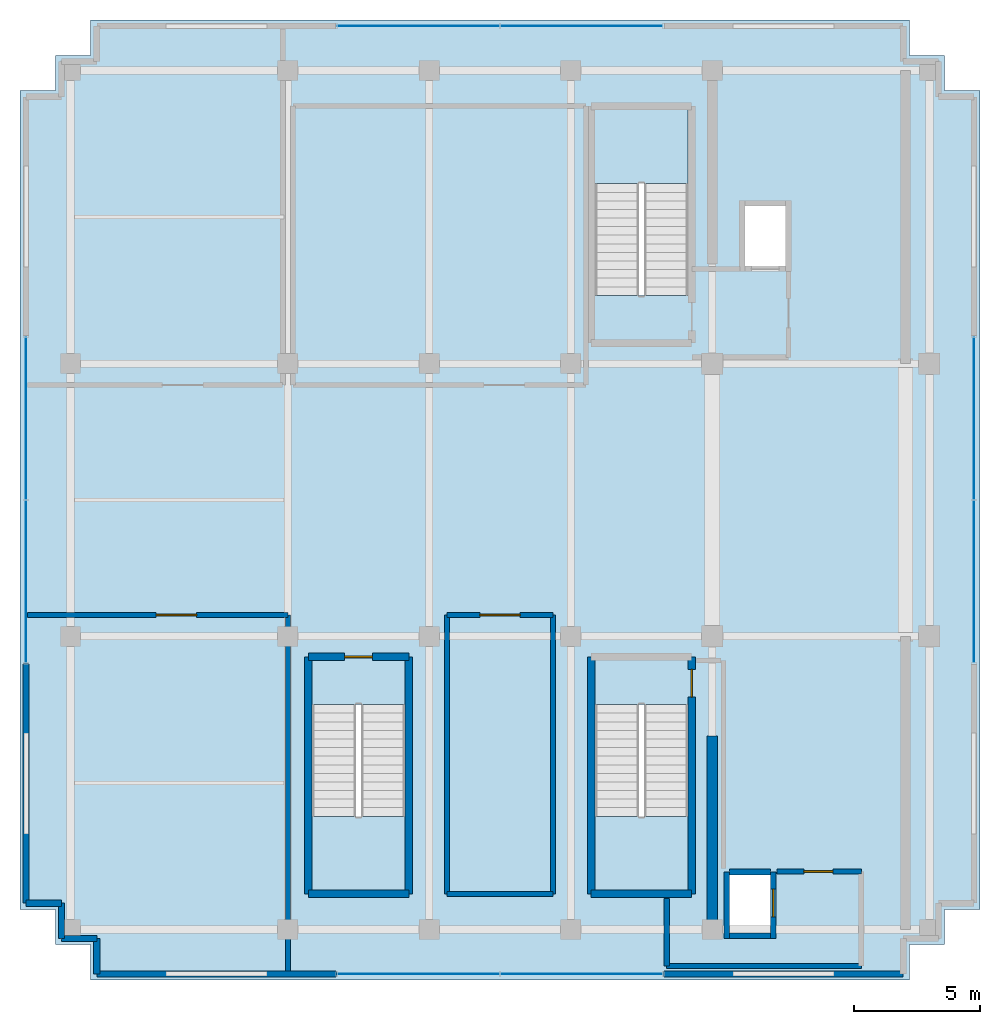
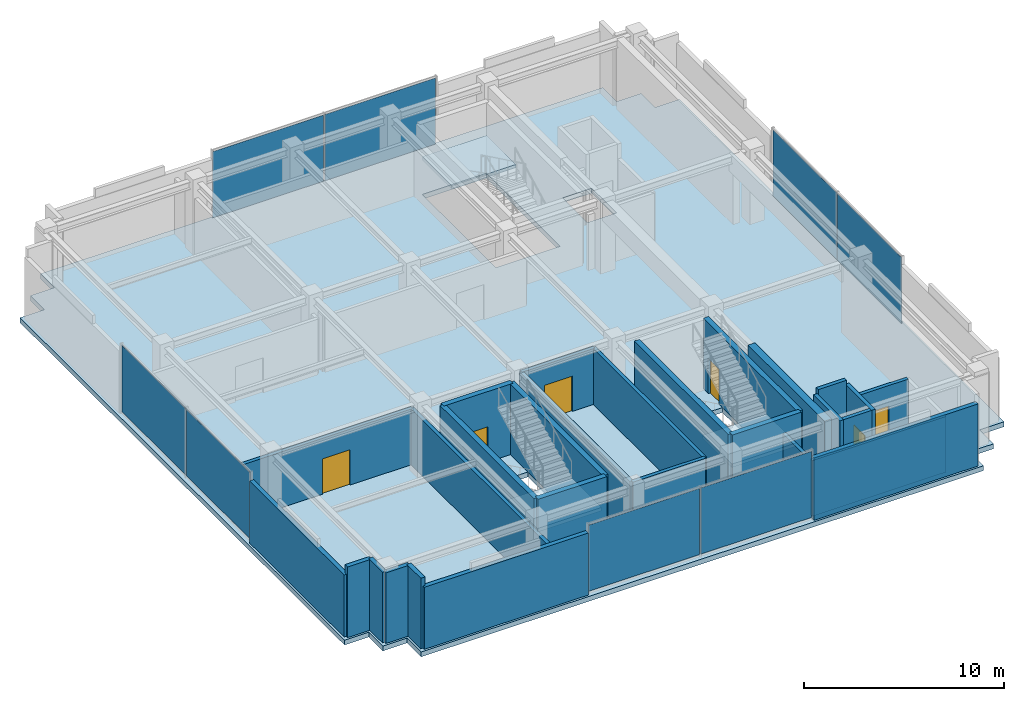
# One storey, part 14 of 18: 28 walls, 8 plates, 6 doors, 4 slabs, 6 openings, 7 elements without a shape of their own.
"""IFC4 building model written with IfcOpenShell, lengths in metres."""

import ifcopenshell
import ifcopenshell.guid

model = None  # the IFC model being written
_history = None  # IfcOwnerHistory: only IFC2X3 demands one
_inside = {}  # id of a spatial element -> (the spatial element, [elements in it])
_under = {}  # id of a project, library or spatial element -> (it, [spatial elements below it])
_declared = {}  # id of a project -> (the project, [libraries it declares])
_typed = {}  # id of a type object -> (the type object, [elements of that type])
_made_of = {}  # id of a material, layer set ... -> (it, [elements and type objects made of it])


def new_model(schema):
    """Start an empty IFC model of exactly this schema.

    Asked for "IFC4X3", IfcOpenShell would pick the latest addendum, in which some entities
    have other attributes; the version numbers below select the first issue.
    IFC2X3 requires an IfcOwnerHistory on every rooted entity: one is made here for all.
    """
    global model, _history
    if schema == "IFC4X3":
        model = ifcopenshell.file(schema_version=(4, 3, 0, 0))
    else:
        model = ifcopenshell.file(schema=schema)
    _inside.clear()
    _under.clear()
    _declared.clear()
    _typed.clear()
    _made_of.clear()
    _history = None
    if model.schema == "IFC2X3":
        org = make("IfcOrganization", Name="unknown")
        user = make(
            "IfcPersonAndOrganization",
            ThePerson=make("IfcPerson", FamilyName="unknown"),
            TheOrganization=org,
        )
        app = make(
            "IfcApplication",
            ApplicationDeveloper=org,
            Version="unknown",
            ApplicationFullName="unknown",
            ApplicationIdentifier="unknown",
        )
        _history = make(
            "IfcOwnerHistory",
            OwningUser=user,
            OwningApplication=app,
            ChangeAction="ADDED",
            CreationDate=0,
        )
    return model


def make(cls, **values):
    """One entity of the class cls with the attributes given. An attribute that is None is left unset."""
    return model.create_entity(
        cls, **{name: value for name, value in values.items() if value is not None}
    )


def rooted(cls, **values):
    """An entity with a GlobalId (a new one), such as an element, a storey or a relation."""
    return make(cls, GlobalId=ifcopenshell.guid.new(), OwnerHistory=_history, **values)


def si_unit(unit_type, name, prefix=None):
    """IfcSIUnit, for example si_unit("LENGTHUNIT", "METRE", prefix="MILLI")."""
    return make("IfcSIUnit", UnitType=unit_type, Prefix=prefix, Name=name)


def assignment(units):
    """IfcUnitAssignment: the units of a project."""
    return None if units is None else make("IfcUnitAssignment", Units=units)


def point(xyz):
    """IfcCartesianPoint."""
    return None if xyz is None else make("IfcCartesianPoint", Coordinates=xyz)


def direction(xyz):
    """IfcDirection."""
    return None if xyz is None else make("IfcDirection", DirectionRatios=xyz)


def frame(location, z_axis=None, x_axis=None):
    """IfcAxis2Placement3D, a coordinate frame: its origin and axes. An axis left out is left unset."""
    return make(
        "IfcAxis2Placement3D",
        Location=point(location),
        Axis=direction(z_axis),
        RefDirection=direction(x_axis),
    )


def frame_2d(location, x_axis=None):
    """IfcAxis2Placement2D, a coordinate frame in the plane: its origin and x axis."""
    return make(
        "IfcAxis2Placement2D", Location=point(location), RefDirection=direction(x_axis)
    )


def origin():
    """The frame at (0, 0, 0) with its axes left unset."""
    return frame((0.0, 0.0, 0.0))


def origin_2d():
    """The frame at (0, 0) in the plane with its x axis left unset."""
    return frame_2d((0.0, 0.0))


def place(relative_to, where):
    """IfcLocalPlacement: puts the frame where relative to a parent placement (None: the world)."""
    return make(
        "IfcLocalPlacement", PlacementRelTo=relative_to, RelativePlacement=where
    )


def context(
    kind, dimensions, precision=None, world=None, true_north=None, identifier=None
):
    """IfcGeometricRepresentationContext, for example the 3D "Model" context."""
    return make(
        "IfcGeometricRepresentationContext",
        ContextIdentifier=identifier,
        ContextType=kind,
        CoordinateSpaceDimension=dimensions,
        Precision=precision,
        WorldCoordinateSystem=world,
        TrueNorth=true_north,
    )


def subcontext(parent, identifier, kind, view, scale=None):
    """IfcGeometricRepresentationSubContext, for example "Body" below "Model"."""
    return make(
        "IfcGeometricRepresentationSubContext",
        ContextIdentifier=identifier,
        ContextType=kind,
        ParentContext=parent,
        TargetScale=scale,
        TargetView=view,
    )


def project(units=None, contexts=None):
    """IfcProject with its units and contexts."""
    return rooted(
        "IfcProject",
        Name="project",
        RepresentationContexts=contexts,
        UnitsInContext=assignment(units),
    )


def spatial(cls, under=None, at=None, **own):
    """A site, building, storey or space (cls), placed at a placement, below another one or the project."""
    s = rooted(cls, ObjectPlacement=at, **own)
    if under is not None:
        _under.setdefault(under.id(), (under, []))[1].append(s)
    return s


def polyline(points):
    """IfcPolyline through the points."""
    return make("IfcPolyline", Points=[point(p) for p in points])


def profile(cls, at=None, kind="AREA", **sizes):
    """A parametric profile (cls). Its sizes go by their IFC names, for example OverallWidth=200.0."""
    return make(cls, ProfileType=kind, Position=at, **sizes)


def rectangle(**sizes):
    """IfcRectangleProfileDef."""
    return profile("IfcRectangleProfileDef", **sizes)


def outline(outer, holes=None, kind="AREA"):
    """IfcArbitraryClosedProfileDef: a profile drawn as a closed curve; with holes, ...WithVoids."""
    if holes is None:
        return make("IfcArbitraryClosedProfileDef", ProfileType=kind, OuterCurve=outer)
    return make(
        "IfcArbitraryProfileDefWithVoids",
        ProfileType=kind,
        OuterCurve=outer,
        InnerCurves=holes,
    )


def extrude(swept, where, along, depth):
    """IfcExtrudedAreaSolid: the profile swept, set in the frame where, extruded along a direction by depth."""
    return make(
        "IfcExtrudedAreaSolid",
        SweptArea=swept,
        Position=where,
        ExtrudedDirection=direction(along),
        Depth=depth,
    )


def shape(context_of_items, identifier, shape_type, items):
    """IfcShapeRepresentation: the items that make up one representation, for example the "Body"."""
    return make(
        "IfcShapeRepresentation",
        ContextOfItems=context_of_items,
        RepresentationIdentifier=identifier,
        RepresentationType=shape_type,
        Items=items,
    )


def source(mapping_origin, context_of_items, identifier, shape_type, items):
    """IfcRepresentationMap: a shape defined once, which mapped items show again and again."""
    return make(
        "IfcRepresentationMap",
        MappingOrigin=mapping_origin,
        MappedRepresentation=shape(context_of_items, identifier, shape_type, items),
    )


def transform(
    local_origin,
    x_axis=None,
    y_axis=None,
    z_axis=None,
    scale=None,
    scale2=None,
    scale3=None,
    uniform=True,
):
    """IfcCartesianTransformationOperator3D, or its non-uniform kind. x_axis, y_axis, z_axis: its Axis1, 2, 3."""
    if uniform:
        return make(
            "IfcCartesianTransformationOperator3D",
            Axis1=direction(x_axis),
            Axis2=direction(y_axis),
            LocalOrigin=point(local_origin),
            Scale=scale,
            Axis3=direction(z_axis),
        )
    return make(
        "IfcCartesianTransformationOperator3DnonUniform",
        Axis1=direction(x_axis),
        Axis2=direction(y_axis),
        LocalOrigin=point(local_origin),
        Scale=scale,
        Axis3=direction(z_axis),
        Scale2=scale2,
        Scale3=scale3,
    )


def mapped(mapping_source, mapping_target):
    """IfcMappedItem: shows the shape of a source again, moved by a transform."""
    return make(
        "IfcMappedItem", MappingSource=mapping_source, MappingTarget=mapping_target
    )


def material(Name=None, Category=None):
    """IfcMaterial."""
    return make("IfcMaterial", Name=Name, Category=Category)


def layer(
    of_material, thickness, ventilated=None, Name=None, Category=None, Priority=None
):
    """IfcMaterialLayer: one layer of a wall or slab, of a material (None: an air gap)."""
    return make(
        "IfcMaterialLayer",
        Material=of_material,
        LayerThickness=thickness,
        IsVentilated=ventilated,
        Name=Name,
        Category=Category,
        Priority=Priority,
    )


def layer_set(layers, Name=None):
    """IfcMaterialLayerSet."""
    return make("IfcMaterialLayerSet", MaterialLayers=layers, LayerSetName=Name)


def made_of(thing, what):
    """Note that an element or type object is made of a material, layer set ...; save() writes the relation."""
    if what is not None:
        _made_of.setdefault(what.id(), (what, []))[1].append(thing)
    return thing


def type_object(cls, material=None, **own):
    """A type object (cls), such as IfcWallType, which elements share."""
    return made_of(rooted(cls, **own), material)


def element(
    cls,
    number,
    at=None,
    inside=None,
    cuts=None,
    type_object=None,
    material=None,
    context=None,
    identifier="Body",
    shape_type=None,
    held_by="IfcProductDefinitionShape",
    body=None,
    shapes=None,
    **own,
):
    """One element of the class cls, such as IfcWall. Its Tag is "e" and its number.

    at: its placement. inside: the storey or other place that contains it. cuts: it is an
    opening in that element (IfcRelVoidsElement). A single representation is given by context,
    identifier, shape_type and body (its items); several are given by shapes. held_by: the class
    of the entity that holds the representations. save() writes the other relations.
    """
    e = rooted(cls, Tag="e%d" % number, ObjectPlacement=at, **own)
    if body is not None:
        shapes = [shape(context, identifier, shape_type, body)]
    if shapes is not None:
        e.Representation = make(held_by, Representations=shapes)
    if inside is not None:
        _inside.setdefault(inside.id(), (inside, []))[1].append(e)
    if cuts is not None:
        rooted(
            "IfcRelVoidsElement", RelatingBuildingElement=cuts, RelatedOpeningElement=e
        )
    if type_object is not None:
        _typed.setdefault(type_object.id(), (type_object, []))[1].append(e)
    return made_of(e, material)


def fill(opening, filler):
    """IfcRelFillsElement: the door or window that sits in an opening."""
    return rooted(
        "IfcRelFillsElement",
        RelatingOpeningElement=opening,
        RelatedBuildingElement=filler,
    )


def aggregate(whole, parts):
    """IfcRelAggregates: a whole, such as a stair, and the parts it consists of."""
    return rooted("IfcRelAggregates", RelatingObject=whole, RelatedObjects=parts)


def save(model, path):
    """Write the relations noted so far, then the file.

    IfcRelAggregates (storeys below a building ...), IfcRelContainedInSpatialStructure (elements
    in a storey), IfcRelDefinesByType, IfcRelAssociatesMaterial and IfcRelDeclares: one each for
    every whole, place, type object, material and project.
    """
    for whole, parts in _under.values():
        aggregate(whole, parts)
    for where, things in _inside.values():
        rooted(
            "IfcRelContainedInSpatialStructure",
            RelatedElements=things,
            RelatingStructure=where,
        )
    for kind, things in _typed.values():
        rooted("IfcRelDefinesByType", RelatedObjects=things, RelatingType=kind)
    for what, things in _made_of.values():
        rooted("IfcRelAssociatesMaterial", RelatedObjects=things, RelatingMaterial=what)
    for by, libraries in _declared.values():
        rooted("IfcRelDeclares", RelatingContext=by, RelatedDefinitions=libraries)
    model.write(path)


model = new_model("IFC4")

# Units and contexts
model_context = context("Model", 3, precision=1e-05, world=origin(), true_north=direction((0.0, 1.0)))
body_context = subcontext(model_context, "Body", "Model", "MODEL_VIEW")
ifc_project = project(units=[si_unit("LENGTHUNIT", "METRE"), si_unit("AREAUNIT", "SQUARE_METRE"), si_unit("VOLUMEUNIT", "CUBIC_METRE"), si_unit("PLANEANGLEUNIT", "RADIAN"), si_unit("MASSUNIT", "GRAM", prefix="KILO")], contexts=[model_context])

# Site, building, storey
site_placement = place(None, origin())
site = spatial("IfcSite", under=ifc_project, at=site_placement, CompositionType="ELEMENT")
building_placement = place(site_placement, origin())
building = spatial("IfcBuilding", under=site, at=building_placement, Name="Nahalor Promenade Grand Hotel", CompositionType="ELEMENT")
storey_placement = place(building_placement, frame((0.0, 0.0, 366.25)))
storey = spatial("IfcBuildingStorey", under=building, at=storey_placement, Name="L93", CompositionType="ELEMENT", Elevation=366.25)

# Stair, slab
ifc_material_1 = material(Name="Concrete B-50 (C40/50)", Category="concrete")
stair_type_1 = type_object("IfcStairType", Name="Stair-ST1", PredefinedType="HALF_TURN_STAIR", material=ifc_material_1)
stair_1_placement = place(storey_placement, origin())
stair_1 = element("IfcStair", 1, at=stair_1_placement, inside=storey, type_object=stair_type_1, Name="L93 ST1", PredefinedType="HALF_TURN_STAIR")
ifc_layer_1 = layer(ifc_material_1, 0.199951171875)
ifc_layer_set_1 = layer_set([ifc_layer_1], Name="Concrete B-50 (C40/50)")
slab_type_1 = type_object("IfcSlabType", Name="Landing-ST1", PredefinedType="LANDING", material=ifc_layer_set_1)
slab_1_placement = place(storey_placement, frame((0.0, 0.0, 2.10009765625)))
slab_1 = element("IfcSlab", 2, at=slab_1_placement, type_object=slab_type_1, Name="ST1 landing 1", PredefinedType="LANDING", context=body_context, shape_type="SweptSolid", body=[
    extrude(outline(polyline([(7.449951171875, 12.52001953125), (7.449951171875, 15.449951171875), (3.75, 15.449951171875), (3.75, 12.52001953125), (7.449951171875, 12.52001953125)])), origin(), (0.0, 0.0, 1.0), 0.199951171875),
])
aggregate(stair_1, [slab_1])

stair_type_2 = type_object("IfcStairType", Name="Stair-ST2", PredefinedType="HALF_TURN_STAIR", material=ifc_material_1)
stair_2_placement = place(storey_placement, origin())
stair_2 = element("IfcStair", 3, at=stair_2_placement, inside=storey, type_object=stair_type_2, Name="L93 ST2", PredefinedType="HALF_TURN_STAIR")
ifc_layer_2 = layer(ifc_material_1, 0.2099609375)
ifc_layer_set_2 = layer_set([ifc_layer_2], Name="Concrete B-50 (C40/50)")
slab_type_2 = type_object("IfcSlabType", Name="Landing-ST2", PredefinedType="LANDING", material=ifc_layer_set_2)
slab_2_placement = place(storey_placement, frame((0.0, 0.0, 2.090087890625)))
slab_2 = element("IfcSlab", 4, at=slab_2_placement, type_object=slab_type_2, Name="ST2 landing 1", PredefinedType="LANDING", context=body_context, shape_type="SweptSolid", body=[
    extrude(outline(polyline([(3.75, -12.52001953125), (3.75, -15.449951171875), (7.449951171875, -15.449951171875), (7.449951171875, -12.52001953125), (3.75, -12.52001953125)])), origin(), (0.0, 0.0, 1.0), 0.2099609375),
])
aggregate(stair_2, [slab_2])

stair_type_3 = type_object("IfcStairType", Name="Stair-ST3", PredefinedType="HALF_TURN_STAIR", material=ifc_material_1)
stair_3_placement = place(storey_placement, origin())
stair_3 = element("IfcStair", 5, at=stair_3_placement, inside=storey, type_object=stair_type_3, Name="L93 ST3", PredefinedType="HALF_TURN_STAIR")
ifc_layer_3 = layer(ifc_material_1, 0.219970703125)
ifc_layer_set_3 = layer_set([ifc_layer_3], Name="Concrete B-50 (C40/50)")
slab_type_3 = type_object("IfcSlabType", Name="Landing-ST3", PredefinedType="LANDING", material=ifc_layer_set_3)
slab_3_placement = place(storey_placement, frame((0.0, 0.0, 2.080078125)))
slab_3 = element("IfcSlab", 6, at=slab_3_placement, type_object=slab_type_3, Name="ST3 landing 1", PredefinedType="LANDING", context=body_context, shape_type="SweptSolid", body=[
    extrude(outline(polyline([(-7.449951171875, -12.52001953125), (-7.449951171875, -15.449951171875), (-3.75, -15.449951171875), (-3.75, -12.52001953125), (-7.449951171875, -12.52001953125)])), origin(), (0.0, 0.0, 1.0), 0.219970703125),
])
aggregate(stair_3, [slab_3])

# Slab
ifc_layer_4 = layer(ifc_material_1, 0.300048828125)
ifc_layer_set_4 = layer_set([ifc_layer_4], Name="Concrete B-50 (C40/50)")
slab_type_4 = type_object("IfcSlabType", Name="Slab-TowerZ5-300", PredefinedType="FLOOR", material=ifc_layer_set_4)
slab_4_placement = place(storey_placement, frame((0.0, 0.0, -0.300048828125)))
element("IfcSlab", 7, at=slab_4_placement, inside=storey, type_object=slab_type_4, Name="L93 Suspended Structural Floor Slab", PredefinedType="FLOOR", context=body_context, shape_type="SweptSolid", body=[
    extrude(outline(polyline([(-16.199951171875, -19.0), (16.199951171875, -19.0), (16.199951171875, -17.60009765625), (17.60009765625, -17.60009765625), (17.60009765625, -16.199951171875), (19.0, -16.199951171875), (19.0, 16.199951171875), (17.60009765625, 16.199951171875), (17.60009765625, 17.60009765625), (16.199951171875, 17.60009765625), (16.199951171875, 19.0), (-16.199951171875, 19.0), (-16.199951171875, 17.60009765625), (-17.60009765625, 17.60009765625), (-17.60009765625, 16.199951171875), (-19.0, 16.199951171875), (-19.0, -16.199951171875), (-17.60009765625, -16.199951171875), (-17.60009765625, -17.60009765625), (-16.199951171875, -17.60009765625), (-16.199951171875, -19.0)]), holes=[polyline([(3.75, 8.10009765625), (7.449951171875, 8.10009765625), (7.449951171875, 15.449951171875), (3.75, 15.449951171875), (3.75, 8.10009765625)]), polyline([(3.75, -15.449951171875), (7.449951171875, -15.449951171875), (7.449951171875, -8.10009765625), (3.75, -8.10009765625), (3.75, -15.449951171875)]), polyline([(-7.449951171875, -15.449951171875), (-3.75, -15.449951171875), (-3.75, -8.10009765625), (-7.449951171875, -8.10009765625), (-7.449951171875, -15.449951171875)]), polyline([(9.659912109375, 9.2099609375), (11.340087890625, 9.2099609375), (11.340087890625, 11.68994140625), (9.659912109375, 11.68994140625), (9.659912109375, 9.2099609375)]), polyline([(9.06005859375, -17.18994140625), (10.739990234375, -17.18994140625), (10.739990234375, -14.7099609375), (9.06005859375, -14.7099609375), (9.06005859375, -17.18994140625)])]), origin(), (0.0, 0.0, 1.0), 0.300048828125),
])

# Curtain wall, plates
ifc_material_2 = material(Name="Anodised Bronze Aluminium EN AW-6063 T6", Category="aluminium")
curtain_wall_type = type_object("IfcCurtainWallType", Name="CW6 Crown Botanical Conservatory Curtain Wall", PredefinedType="USERDEFINED", material=ifc_material_2)
curtain_wall_1_placement = place(storey_placement, origin())
curtain_wall_1 = element("IfcCurtainWall", 8, at=curtain_wall_1_placement, inside=storey, type_object=curtain_wall_type, Name="L93 Curtain Wall CW-L93-S", ObjectType="UNITISED_CURTAIN_WALL", PredefinedType="USERDEFINED")
ifc_material_3 = material(Name="Low-E Laminated Solar Glass", Category="glass")
ifc_layer_5 = layer(ifc_material_3, 0.033935546875)
ifc_layer_set_5 = layer_set([ifc_layer_5], Name="Low-E Laminated Solar Glass")
plate_type = type_object("IfcPlateType", Name="CWP6 Conservatory Solar-Select IGU 34mm", PredefinedType="CURTAIN_PANEL", material=ifc_layer_set_5)
shared_shape_1 = source(origin(), body_context, "Body", "SweptSolid", [
    extrude(rectangle(XDim=6.387451171875, YDim=0.033935546875, at=origin_2d()), origin(), (0.0, 0.0, 1.0), 4.030029296875),
])
plate_1_placement = place(storey_placement, frame((-3.231201171875, -18.760009765625, 0.134765625), z_axis=(0.0, 0.0, 1.0), x_axis=(1.0, 0.0, 0.0)))
plate_1 = element("IfcPlate", 9, at=plate_1_placement, type_object=plate_type, Name="CW-L93-S Glazing Panel 0-0", PredefinedType="CURTAIN_PANEL", context=body_context, shape_type="MappedRepresentation", body=[
    mapped(shared_shape_1, transform((0.0, 0.0, 0.0), scale=1.0)),
])
plate_2_placement = place(storey_placement, frame((3.231201171875, -18.760009765625, 0.134765625), z_axis=(0.0, 0.0, 1.0), x_axis=(1.0, 0.0, 0.0)))
plate_2 = element("IfcPlate", 10, at=plate_2_placement, type_object=plate_type, Name="CW-L93-S Glazing Panel 1-0", PredefinedType="CURTAIN_PANEL", context=body_context, shape_type="MappedRepresentation", body=[
    mapped(shared_shape_1, transform((0.0, 0.0, 0.0), scale=1.0)),
])
aggregate(curtain_wall_1, [plate_1, plate_2])

curtain_wall_2_placement = place(storey_placement, origin())
curtain_wall_2 = element("IfcCurtainWall", 11, at=curtain_wall_2_placement, inside=storey, type_object=curtain_wall_type, Name="L93 Curtain Wall CW-L93-N", ObjectType="UNITISED_CURTAIN_WALL", PredefinedType="USERDEFINED")
plate_3_placement = place(storey_placement, frame((-3.231201171875, 18.760009765625, 0.134765625), z_axis=(0.0, 0.0, 1.0), x_axis=(1.0, 0.0, 0.0)))
plate_3 = element("IfcPlate", 12, at=plate_3_placement, type_object=plate_type, Name="CW-L93-N Glazing Panel 0-0", PredefinedType="CURTAIN_PANEL", context=body_context, shape_type="MappedRepresentation", body=[
    mapped(shared_shape_1, transform((0.0, 0.0, 0.0), scale=1.0)),
])
plate_4_placement = place(storey_placement, frame((3.231201171875, 18.760009765625, 0.134765625), z_axis=(0.0, 0.0, 1.0), x_axis=(1.0, 0.0, 0.0)))
plate_4 = element("IfcPlate", 13, at=plate_4_placement, type_object=plate_type, Name="CW-L93-N Glazing Panel 1-0", PredefinedType="CURTAIN_PANEL", context=body_context, shape_type="MappedRepresentation", body=[
    mapped(shared_shape_1, transform((0.0, 0.0, 0.0), scale=1.0)),
])
aggregate(curtain_wall_2, [plate_3, plate_4])

curtain_wall_3_placement = place(storey_placement, origin())
curtain_wall_3 = element("IfcCurtainWall", 14, at=curtain_wall_3_placement, inside=storey, type_object=curtain_wall_type, Name="L93 Curtain Wall CW-L93-W", ObjectType="UNITISED_CURTAIN_WALL", PredefinedType="USERDEFINED")
plate_5_placement = place(storey_placement, frame((-18.760009765625, -3.231201171875, 0.134765625), z_axis=(0.0, 0.0, 1.0), x_axis=(0.0, 1.0, 0.0)))
plate_5 = element("IfcPlate", 15, at=plate_5_placement, type_object=plate_type, Name="CW-L93-W Glazing Panel 0-0", PredefinedType="CURTAIN_PANEL", context=body_context, shape_type="MappedRepresentation", body=[
    mapped(shared_shape_1, transform((0.0, 0.0, 0.0), scale=1.0)),
])
plate_6_placement = place(storey_placement, frame((-18.760009765625, 3.231201171875, 0.134765625), z_axis=(0.0, 0.0, 1.0), x_axis=(0.0, 1.0, 0.0)))
plate_6 = element("IfcPlate", 16, at=plate_6_placement, type_object=plate_type, Name="CW-L93-W Glazing Panel 1-0", PredefinedType="CURTAIN_PANEL", context=body_context, shape_type="MappedRepresentation", body=[
    mapped(shared_shape_1, transform((0.0, 0.0, 0.0), scale=1.0)),
])
aggregate(curtain_wall_3, [plate_5, plate_6])

curtain_wall_4_placement = place(storey_placement, origin())
curtain_wall_4 = element("IfcCurtainWall", 17, at=curtain_wall_4_placement, inside=storey, type_object=curtain_wall_type, Name="L93 Curtain Wall CW-L93-E", ObjectType="UNITISED_CURTAIN_WALL", PredefinedType="USERDEFINED")
plate_7_placement = place(storey_placement, frame((18.760009765625, -3.231201171875, 0.134765625), z_axis=(0.0, 0.0, 1.0), x_axis=(0.0, 1.0, 0.0)))
plate_7 = element("IfcPlate", 18, at=plate_7_placement, type_object=plate_type, Name="CW-L93-E Glazing Panel 0-0", PredefinedType="CURTAIN_PANEL", context=body_context, shape_type="MappedRepresentation", body=[
    mapped(shared_shape_1, transform((0.0, 0.0, 0.0), scale=1.0)),
])
plate_8_placement = place(storey_placement, frame((18.760009765625, 3.231201171875, 0.134765625), z_axis=(0.0, 0.0, 1.0), x_axis=(0.0, 1.0, 0.0)))
plate_8 = element("IfcPlate", 19, at=plate_8_placement, type_object=plate_type, Name="CW-L93-E Glazing Panel 1-0", PredefinedType="CURTAIN_PANEL", context=body_context, shape_type="MappedRepresentation", body=[
    mapped(shared_shape_1, transform((0.0, 0.0, 0.0), scale=1.0)),
])
aggregate(curtain_wall_4, [plate_7, plate_8])

# Walls
ifc_layer_6 = layer(ifc_material_1, 0.39990234375)
ifc_layer_set_6 = layer_set([ifc_layer_6], Name="Concrete B-50 (C40/50)")
wall_type_1 = type_object("IfcWallType", Name="Wall-CoreShear-400", PredefinedType="SHEAR", material=ifc_layer_set_6)
shared_shape_2 = source(origin(), body_context, "Body", "SweptSolid", [
    extrude(rectangle(XDim=7.64990234375, YDim=0.39990234375, at=frame_2d((3.824951171875, 0.0))), origin(), (0.0, 0.0, 1.0), 4.300048828125),
])
wall_1_placement = place(storey_placement, frame((8.39990234375, -17.0, 0.0), z_axis=(0.0, 0.0, 1.0), x_axis=(0.0, 1.0, 0.0)))
element("IfcWall", 20, at=wall_1_placement, inside=storey, type_object=wall_type_1, Name="CWALL-L93-SW", PredefinedType="SHEAR", context=body_context, shape_type="MappedRepresentation", body=[
    mapped(shared_shape_2, transform((0.0, 0.0, 0.0), scale=1.0)),
])
ifc_layer_7 = layer(ifc_material_1, 0.300048828125)
ifc_layer_set_7 = layer_set([ifc_layer_7], Name="Concrete B-50 (C40/50)")
wall_type_2 = type_object("IfcWallType", Name="Wall-ShaftShear-300", PredefinedType="SHEAR", material=ifc_layer_set_7)
shared_shape_3 = source(origin(), body_context, "Body", "SweptSolid", [
    extrude(rectangle(XDim=3.97998046875, YDim=0.300048828125, at=frame_2d((1.989990234375, 0.0))), origin(), (0.0, 0.0, 1.0), 4.300048828125),
])
for number, where, z_axis, x_axis, name in (
    (21, (3.610107421875, -15.590087890625, 0.0), (0.0, 0.0, 1.0), (1.0, 0.0, 0.0), "L93 Exit Stair ST2 Shaft Wall S"),
    (22, (-7.590087890625, -15.590087890625, 0.0), (0.0, 0.0, 1.0), (1.0, 0.0, 0.0), "L93 Exit Stair ST3 Shaft Wall S"),
):
    element("IfcWall", number, at=place(storey_placement, frame(where, z_axis=z_axis, x_axis=x_axis)), inside=storey, type_object=wall_type_2, Name=name, PredefinedType="SHEAR", context=body_context, shape_type="MappedRepresentation", body=[
        mapped(shared_shape_3, transform((0.0, 0.0, 0.0), scale=1.0)),
    ])

# Wall, opening, door
wall_2_placement = place(storey_placement, frame((-7.590087890625, -6.2099609375, 0.0), z_axis=(0.0, 0.0, 1.0), x_axis=(1.0, 0.0, 0.0)))
wall_2 = element("IfcWall", 23, at=wall_2_placement, inside=storey, type_object=wall_type_2, Name="L93 Exit Stair ST3 Shaft Wall N", PredefinedType="SHEAR", context=body_context, shape_type="MappedRepresentation", body=[
    mapped(shared_shape_3, transform((0.0, 0.0, 0.0), scale=1.0)),
])
opening_1_placement = place(wall_2_placement, frame((1.43994140625, 0.0, 0.0)))
opening_1 = element("IfcOpeningElement", 24, at=opening_1_placement, cuts=wall_2, Name="Opening D-ST1", PredefinedType="OPENING", context=body_context, shape_type="SweptSolid", body=[
    extrude(rectangle(XDim=1.10009765625, YDim=2.14990234375, at=frame_2d((0.550048828125, 1.074951171875))), frame((0.0, 0.159912109375, 0.0), z_axis=(0.0, -1.0, 0.0), x_axis=(1.0, 0.0, 0.0)), (0.0, 0.0, 1.0), 0.320068359375),
])
ifc_material_4 = material(Name="Steel S355JR", Category="steel")
door_type_1 = type_object("IfcDoorType", Name="Door-StairFire-1100", OperationType="NOTDEFINED", PredefinedType="DOOR", material=ifc_material_4)
shared_shape_4 = source(origin(), body_context, "Body", "SweptSolid", [
    extrude(rectangle(XDim=1.10009765625, YDim=2.14990234375, at=frame_2d((0.550048828125, 1.074951171875))), frame((0.0, 0.02490234375, 0.0), z_axis=(0.0, -1.0, 0.0), x_axis=(1.0, 0.0, 0.0)), (0.0, 0.0, 1.0), 0.050048828125),
])
door_1_placement = place(opening_1_placement, frame((1.10009765625, 0.0, 0.0), z_axis=(0.0, 0.0, 1.0), x_axis=(-1.0, 0.0, 0.0)))
door_1 = element("IfcDoor", 25, at=door_1_placement, inside=storey, type_object=door_type_1, Name="DR-STAIR-ST3-L93", OperationType="SINGLE_SWING_RIGHT", OverallHeight=2.14990234375, OverallWidth=1.10009765625, PredefinedType="DOOR", context=body_context, shape_type="MappedRepresentation", body=[
    mapped(shared_shape_4, transform((0.0, 0.0, 0.0), scale=1.0)),
])
fill(opening_1, door_1)

# Wall
shared_shape_5 = source(origin(), body_context, "Body", "SweptSolid", [
    extrude(rectangle(XDim=9.380126953125, YDim=0.300048828125, at=frame_2d((4.68994140625, 0.0))), origin(), (0.0, 0.0, 1.0), 4.300048828125),
])
wall_3_placement = place(storey_placement, frame((3.610107421875, -15.590087890625, 0.0), z_axis=(0.0, 0.0, 1.0), x_axis=(0.0, 1.0, 0.0)))
element("IfcWall", 26, at=wall_3_placement, inside=storey, type_object=wall_type_2, Name="L93 Exit Stair ST2 Shaft Wall W", PredefinedType="SHEAR", context=body_context, shape_type="MappedRepresentation", body=[
    mapped(shared_shape_5, transform((0.0, 0.0, 0.0), scale=1.0)),
])

# Wall, opening, door
wall_4_placement = place(storey_placement, frame((7.590087890625, -15.590087890625, 0.0), z_axis=(0.0, 0.0, 1.0), x_axis=(0.0, 1.0, 0.0)))
wall_4 = element("IfcWall", 27, at=wall_4_placement, inside=storey, type_object=wall_type_2, Name="L93 Exit Stair ST2 Shaft Wall E", PredefinedType="SHEAR", context=body_context, shape_type="MappedRepresentation", body=[
    mapped(shared_shape_5, transform((0.0, 0.0, 0.0), scale=1.0)),
])
opening_2_placement = place(wall_4_placement, frame((7.7900390625, 0.0, 0.0)))
opening_2 = element("IfcOpeningElement", 28, at=opening_2_placement, cuts=wall_4, Name="Opening D-ST1", PredefinedType="OPENING", context=body_context, shape_type="SweptSolid", body=[
    extrude(rectangle(XDim=1.10009765625, YDim=2.14990234375, at=frame_2d((0.550048828125, 1.074951171875))), frame((0.0, 0.159912109375, 0.0), z_axis=(0.0, -1.0, 0.0), x_axis=(1.0, 0.0, 0.0)), (0.0, 0.0, 1.0), 0.320068359375),
])
door_2_placement = place(opening_2_placement, origin())
door_2 = element("IfcDoor", 29, at=door_2_placement, inside=storey, type_object=door_type_1, Name="DR-STAIR-ST2-L93", OperationType="SINGLE_SWING_RIGHT", OverallHeight=2.14990234375, OverallWidth=1.10009765625, PredefinedType="DOOR", context=body_context, shape_type="MappedRepresentation", body=[
    mapped(shared_shape_4, transform((0.0, 0.0, 0.0), scale=1.0)),
])
fill(opening_2, door_2)

# Walls
for number, where, z_axis, x_axis, name in (
    (30, (-7.590087890625, -15.590087890625, 0.0), (0.0, 0.0, 1.0), (0.0, 1.0, 0.0), "L93 Exit Stair ST3 Shaft Wall W"),
    (31, (-3.610107421875, -15.590087890625, 0.0), (0.0, 0.0, 1.0), (0.0, 1.0, 0.0), "L93 Exit Stair ST3 Shaft Wall E"),
):
    element("IfcWall", number, at=place(storey_placement, frame(where, z_axis=z_axis, x_axis=x_axis)), inside=storey, type_object=wall_type_2, Name=name, PredefinedType="SHEAR", context=body_context, shape_type="MappedRepresentation", body=[
        mapped(shared_shape_5, transform((0.0, 0.0, 0.0), scale=1.0)),
    ])
ifc_layer_8 = layer(ifc_material_1, 0.219970703125)
ifc_layer_set_8 = layer_set([ifc_layer_8], Name="Concrete B-50 (C40/50)")
wall_type_3 = type_object("IfcWallType", Name="Wall-LiftShaft-220", PredefinedType="SHEAR", material=ifc_layer_set_8)
shared_shape_6 = source(origin(), body_context, "Body", "SweptSolid", [
    extrude(rectangle(XDim=2.635009765625, YDim=0.219970703125, at=frame_2d((1.3173828125, 0.0))), origin(), (0.0, 0.0, 1.0), 4.300048828125),
])
wall_5_placement = place(storey_placement, frame((8.97998046875, -17.360107421875, 0.0), z_axis=(0.0, 0.0, 1.0), x_axis=(0.0, 1.0, 0.0)))
element("IfcWall", 32, at=wall_5_placement, inside=storey, type_object=wall_type_3, Name="L93 Lift FL2 Hoistway Wall W", PredefinedType="SHEAR", context=body_context, shape_type="MappedRepresentation", body=[
    mapped(shared_shape_6, transform((0.0, 0.0, 0.0), scale=1.0)),
])

# Wall, opening, door
wall_6_placement = place(storey_placement, frame((10.820068359375, -17.360107421875, 0.0), z_axis=(0.0, 0.0, 1.0), x_axis=(0.0, 1.0, 0.0)))
wall_6 = element("IfcWall", 33, at=wall_6_placement, inside=storey, type_object=wall_type_3, Name="L93 Lift FL2 Hoistway Wall E", PredefinedType="SHEAR", context=body_context, shape_type="MappedRepresentation", body=[
    mapped(shared_shape_6, transform((0.0, 0.0, 0.0), scale=1.0)),
])
opening_3_placement = place(wall_6_placement, frame((0.860107421875, 0.0, 0.0)))
opening_3 = element("IfcOpeningElement", 34, at=opening_3_placement, cuts=wall_6, Name="Opening LD-02", PredefinedType="OPENING", context=body_context, shape_type="SweptSolid", body=[
    extrude(rectangle(XDim=1.10009765625, YDim=2.199951171875, at=frame_2d((0.550048828125, 1.10009765625))), frame((0.0, 0.119873046875, 0.0), z_axis=(0.0, -1.0, 0.0), x_axis=(1.0, 0.0, 0.0)), (0.0, 0.0, 1.0), 0.239990234375),
])
door_type_2 = type_object("IfcDoorType", Name="Door-LiftFF-1100", OperationType="DOUBLE_DOOR_SLIDING", PredefinedType="DOOR", material=ifc_material_4)
shared_shape_7 = source(origin(), body_context, "Body", "SweptSolid", [
    extrude(rectangle(XDim=1.10009765625, YDim=2.199951171875, at=frame_2d((0.550048828125, 1.10009765625))), frame((0.0, 0.02490234375, 0.0), z_axis=(0.0, -1.0, 0.0), x_axis=(1.0, 0.0, 0.0)), (0.0, 0.0, 1.0), 0.050048828125),
])
door_3_placement = place(opening_3_placement, frame((1.10009765625, 0.0, 0.0), z_axis=(0.0, 0.0, 1.0), x_axis=(-1.0, 0.0, 0.0)))
door_3 = element("IfcDoor", 35, at=door_3_placement, inside=storey, type_object=door_type_2, Name="DR-LIFT-FL2-L93", OperationType="DOUBLE_DOOR_SLIDING", OverallHeight=2.199951171875, OverallWidth=1.10009765625, PredefinedType="DOOR", context=body_context, shape_type="MappedRepresentation", body=[
    mapped(shared_shape_7, transform((0.0, 0.0, 0.0), scale=1.0)),
])
fill(opening_3, door_3)

# Walls
shared_shape_8 = source(origin(), body_context, "Body", "SweptSolid", [
    extrude(rectangle(XDim=1.619873046875, YDim=0.219970703125, at=frame_2d((0.81005859375, 0.0))), origin(), (0.0, 0.0, 1.0), 4.300048828125),
])
wall_7_placement = place(storey_placement, frame((9.090087890625, -17.25, 0.0), z_axis=(0.0, 0.0, 1.0), x_axis=(1.0, 0.0, 0.0)))
element("IfcWall", 36, at=wall_7_placement, inside=storey, type_object=wall_type_3, Name="L93 Lift FL2 Hoistway Wall S", PredefinedType="SHEAR", context=body_context, shape_type="MappedRepresentation", body=[
    mapped(shared_shape_8, transform((0.0, 0.0, 0.0), scale=1.0)),
])
shared_shape_9 = source(origin(), body_context, "Body", "SweptSolid", [
    extrude(rectangle(XDim=1.619873046875, YDim=0.219970703125, at=frame_2d((0.81005859375, 0.0))), origin(), (0.0, 0.0, 1.0), 4.60009765625),
])
wall_8_placement = place(storey_placement, frame((9.090087890625, -14.72509765625, 0.0), z_axis=(0.0, 0.0, 1.0), x_axis=(1.0, 0.0, 0.0)))
element("IfcWall", 37, at=wall_8_placement, inside=storey, type_object=wall_type_3, Name="L93 Lift FL2 Hoistway Wall N", PredefinedType="SHEAR", context=body_context, shape_type="MappedRepresentation", body=[
    mapped(shared_shape_9, transform((0.0, 0.0, 0.0), scale=1.0)),
])
ifc_material_5 = material(Name="Concrete B-40 (C32/40)", Category="concrete")
ifc_layer_9 = layer(ifc_material_5, 0.25)
ifc_layer_set_9 = layer_set([ifc_layer_9], Name="Concrete B-40 (C32/40)")
wall_type_4 = type_object("IfcWallType", Name="Wall-BronzePier-250", PredefinedType="STANDARD", material=ifc_layer_set_9)
shared_shape_10 = source(origin(), body_context, "Body", "SweptSolid", [
    extrude(rectangle(XDim=1.39990234375, YDim=0.25, at=frame_2d((0.699951171875, 0.0))), origin(), (0.0, 0.0, 1.0), 4.300048828125),
])
for number, where, z_axis, x_axis, name in (
    (38, (-18.760009765625, -15.9599609375, 0.0), (0.0, 0.0, 1.0), (1.0, 0.0, 0.0), "W-L93-SR-13"),
    (39, (-15.9599609375, -18.760009765625, 0.0), (0.0, 0.0, 1.0), (0.0, 1.0, 0.0), "W-L93-SR-16"),
):
    element("IfcWall", number, at=place(storey_placement, frame(where, z_axis=z_axis, x_axis=x_axis)), inside=storey, type_object=wall_type_4, Name=name, PredefinedType="STANDARD", context=body_context, shape_type="MappedRepresentation", body=[
        mapped(shared_shape_10, transform((0.0, 0.0, 0.0), scale=1.0)),
    ])
shared_shape_11 = source(origin(), body_context, "Body", "SweptSolid", [
    extrude(rectangle(XDim=1.400146484375, YDim=0.25, at=frame_2d((0.7001953125, 0.0))), origin(), (0.0, 0.0, 1.0), 4.300048828125),
])
for number, where, z_axis, x_axis, name in (
    (40, (-17.360107421875, -17.360107421875, 0.0), (0.0, 0.0, 1.0), (0.0, 1.0, 0.0), "W-L93-SR-14"),
    (41, (-17.360107421875, -17.360107421875, 0.0), (0.0, 0.0, 1.0), (1.0, 0.0, 0.0), "W-L93-SR-15"),
):
    element("IfcWall", number, at=place(storey_placement, frame(where, z_axis=z_axis, x_axis=x_axis)), inside=storey, type_object=wall_type_4, Name=name, PredefinedType="STANDARD", context=body_context, shape_type="MappedRepresentation", body=[
        mapped(shared_shape_11, transform((0.0, 0.0, 0.0), scale=1.0)),
    ])
shared_shape_12 = source(origin(), body_context, "Body", "SweptSolid", [
    extrude(rectangle(XDim=9.4599609375, YDim=0.25, at=frame_2d((4.72998046875, 0.0))), origin(), (0.0, 0.0, 1.0), 3.780029296875),
])
for number, where, z_axis, x_axis, name in (
    (42, (-15.9599609375, -18.760009765625, 0.0), (0.0, 0.0, 1.0), (1.0, 0.0, 0.0), "W-L93-PL-SL"),
    (43, (6.5, -18.760009765625, 0.0), (0.0, 0.0, 1.0), (1.0, 0.0, 0.0), "W-L93-PL-SR"),
    (44, (-18.760009765625, -15.9599609375, 0.0), (0.0, 0.0, 1.0), (0.0, 1.0, 0.0), "W-L93-PL-WL"),
):
    element("IfcWall", number, at=place(storey_placement, frame(where, z_axis=z_axis, x_axis=x_axis)), inside=storey, type_object=wall_type_4, Name=name, PredefinedType="STANDARD", context=body_context, shape_type="MappedRepresentation", body=[
        mapped(shared_shape_12, transform((0.0, 0.0, 0.0), scale=1.0)),
    ])
ifc_layer_10 = layer(ifc_material_5, 0.199951171875)
ifc_layer_set_10 = layer_set([ifc_layer_10], Name="Concrete B-40 (C32/40)")
wall_type_5 = type_object("IfcWallType", Name="Wall-PartFire-200", PredefinedType="PARTITIONING", material=ifc_layer_set_10)
shared_shape_13 = source(origin(), body_context, "Body", "SweptSolid", [
    extrude(rectangle(XDim=14.14990234375, YDim=0.199951171875, at=frame_2d((7.074951171875, 0.0))), origin(), (0.0, 0.0, 1.0), 3.39990234375),
])
wall_9_placement = place(storey_placement, frame((-8.39990234375, -18.699951171875, 0.0), z_axis=(0.0, 0.0, 1.0), x_axis=(0.0, 1.0, 0.0)))
element("IfcWall", 45, at=wall_9_placement, inside=storey, type_object=wall_type_5, Name="W-L93-MP3-E", PredefinedType="PARTITIONING", context=body_context, shape_type="MappedRepresentation", body=[
    mapped(shared_shape_13, transform((0.0, 0.0, 0.0), scale=1.0)),
])
shared_shape_14 = source(origin(), body_context, "Body", "SweptSolid", [
    extrude(rectangle(XDim=7.699951171875, YDim=0.199951171875, at=frame_2d((3.85009765625, 0.0))), origin(), (0.0, 0.0, 1.0), 3.39990234375),
])
wall_10_placement = place(storey_placement, frame((6.60009765625, -18.449951171875, 0.0), z_axis=(0.0, 0.0, 1.0), x_axis=(1.0, 0.0, 0.0)))
element("IfcWall", 46, at=wall_10_placement, inside=storey, type_object=wall_type_5, Name="W-L93-FF2-S1", PredefinedType="PARTITIONING", context=body_context, shape_type="MappedRepresentation", body=[
    mapped(shared_shape_14, transform((0.0, 0.0, 0.0), scale=1.0)),
])
shared_shape_15 = source(origin(), body_context, "Body", "SweptSolid", [
    extrude(rectangle(XDim=2.679931640625, YDim=0.199951171875, at=frame_2d((1.33984375, 0.0))), origin(), (0.0, 0.0, 1.0), 3.39990234375),
])
wall_11_placement = place(storey_placement, frame((6.60009765625, -18.449951171875, 0.0), z_axis=(0.0, 0.0, 1.0), x_axis=(0.0, 1.0, 0.0)))
element("IfcWall", 47, at=wall_11_placement, inside=storey, type_object=wall_type_5, Name="W-L93-FF2-W1", PredefinedType="PARTITIONING", context=body_context, shape_type="MappedRepresentation", body=[
    mapped(shared_shape_15, transform((0.0, 0.0, 0.0), scale=1.0)),
])

# Wall, opening, door
shared_shape_16 = source(origin(), body_context, "Body", "SweptSolid", [
    extrude(rectangle(XDim=3.340087890625, YDim=0.199951171875, at=frame_2d((1.669921875, 0.0))), origin(), (0.0, 0.0, 1.0), 3.39990234375),
])
wall_12_placement = place(storey_placement, frame((10.9599609375, -14.699951171875, 0.0), z_axis=(0.0, 0.0, 1.0), x_axis=(1.0, 0.0, 0.0)))
wall_12 = element("IfcWall", 48, at=wall_12_placement, inside=storey, type_object=wall_type_5, Name="W-L93-FF2-N1", PredefinedType="PARTITIONING", context=body_context, shape_type="MappedRepresentation", body=[
    mapped(shared_shape_16, transform((0.0, 0.0, 0.0), scale=1.0)),
])
opening_4_placement = place(wall_12_placement, frame((1.06494140625, 0.0, 0.0)))
opening_4 = element("IfcOpeningElement", 49, at=opening_4_placement, cuts=wall_12, Name="Opening D-FF1", PredefinedType="OPENING", context=body_context, shape_type="SweptSolid", body=[
    extrude(rectangle(XDim=1.14990234375, YDim=2.14990234375, at=frame_2d((0.574951171875, 1.074951171875))), frame((0.0, 0.10986328125, 0.0), z_axis=(0.0, -1.0, 0.0), x_axis=(1.0, 0.0, 0.0)), (0.0, 0.0, 1.0), 0.219970703125),
])
door_type_3 = type_object("IfcDoorType", Name="Door-FFLobby-1150", OperationType="NOTDEFINED", PredefinedType="DOOR", material=ifc_material_4)
shared_shape_17 = source(origin(), body_context, "Body", "SweptSolid", [
    extrude(rectangle(XDim=1.14990234375, YDim=2.14990234375, at=frame_2d((0.574951171875, 1.074951171875))), frame((0.0, 0.02490234375, 0.0), z_axis=(0.0, -1.0, 0.0), x_axis=(1.0, 0.0, 0.0)), (0.0, 0.0, 1.0), 0.050048828125),
])
door_4_placement = place(opening_4_placement, origin())
door_4 = element("IfcDoor", 50, at=door_4_placement, inside=storey, type_object=door_type_3, Name="DR-L93-FFL2", OperationType="SINGLE_SWING_RIGHT", OverallHeight=2.14990234375, OverallWidth=1.14990234375, PredefinedType="DOOR", context=body_context, shape_type="MappedRepresentation", body=[
    mapped(shared_shape_17, transform((0.0, 0.0, 0.0), scale=1.0)),
])
fill(opening_4, door_4)

# Walls
shared_shape_18 = source(origin(), body_context, "Body", "SweptSolid", [
    extrude(rectangle(XDim=11.050048828125, YDim=0.199951171875, at=frame_2d((5.52490234375, 0.0))), origin(), (0.0, 0.0, 1.0), 3.39990234375),
])
for number, where, z_axis, x_axis, name in (
    (51, (-2.10009765625, -15.60009765625, 0.0), (0.0, 0.0, 1.0), (0.0, 1.0, 0.0), "W-L93-MP4-W"),
    (52, (2.10009765625, -15.60009765625, 0.0), (0.0, 0.0, 1.0), (0.0, 1.0, 0.0), "W-L93-MP4-E"),
):
    element("IfcWall", number, at=place(storey_placement, frame(where, z_axis=z_axis, x_axis=x_axis)), inside=storey, type_object=wall_type_5, Name=name, PredefinedType="PARTITIONING", context=body_context, shape_type="MappedRepresentation", body=[
        mapped(shared_shape_18, transform((0.0, 0.0, 0.0), scale=1.0)),
    ])

# Wall, opening, door
shared_shape_19 = source(origin(), body_context, "Body", "SweptSolid", [
    extrude(rectangle(XDim=10.300048828125, YDim=0.199951171875, at=frame_2d((5.14990234375, 0.0))), origin(), (0.0, 0.0, 1.0), 3.39990234375),
])
wall_13_placement = place(storey_placement, frame((-18.699951171875, -4.550048828125, 0.0), z_axis=(0.0, 0.0, 1.0), x_axis=(1.0, 0.0, 0.0)))
wall_13 = element("IfcWall", 53, at=wall_13_placement, inside=storey, type_object=wall_type_5, Name="W-L93-MP3-N", PredefinedType="PARTITIONING", context=body_context, shape_type="MappedRepresentation", body=[
    mapped(shared_shape_19, transform((0.0, 0.0, 0.0), scale=1.0)),
])
opening_5_placement = place(wall_13_placement, frame((5.093017578125, 0.0, 0.0)))
opening_5 = element("IfcOpeningElement", 54, at=opening_5_placement, cuts=wall_13, Name="Opening D-06", PredefinedType="OPENING", context=body_context, shape_type="SweptSolid", body=[
    extrude(rectangle(XDim=1.60009765625, YDim=2.14990234375, at=frame_2d((0.800048828125, 1.074951171875))), frame((0.0, 0.10986328125, 0.0), z_axis=(0.0, -1.0, 0.0), x_axis=(1.0, 0.0, 0.0)), (0.0, 0.0, 1.0), 0.219970703125),
])
door_type_4 = type_object("IfcDoorType", Name="Door-PlantDouble-1600", OperationType="DOUBLE_DOOR_SINGLE_SWING", PredefinedType="DOOR", material=ifc_material_4)
shared_shape_20 = source(origin(), body_context, "Body", "SweptSolid", [
    extrude(rectangle(XDim=1.60009765625, YDim=2.14990234375, at=frame_2d((0.800048828125, 1.074951171875))), frame((0.0, 0.02490234375, 0.0), z_axis=(0.0, -1.0, 0.0), x_axis=(1.0, 0.0, 0.0)), (0.0, 0.0, 1.0), 0.050048828125),
])
door_5_placement = place(opening_5_placement, frame((1.60009765625, 0.0, 0.0), z_axis=(0.0, 0.0, 1.0), x_axis=(-1.0, 0.0, 0.0)))
door_5 = element("IfcDoor", 55, at=door_5_placement, inside=storey, type_object=door_type_4, Name="DR-L93-MP3", OperationType="DOUBLE_DOOR_SINGLE_SWING", OverallHeight=2.14990234375, OverallWidth=1.60009765625, PredefinedType="DOOR", context=body_context, shape_type="MappedRepresentation", body=[
    mapped(shared_shape_20, transform((0.0, 0.0, 0.0), scale=1.0)),
])
fill(opening_5, door_5)

# Wall
shared_shape_21 = source(origin(), body_context, "Body", "SweptSolid", [
    extrude(rectangle(XDim=4.2001953125, YDim=0.199951171875, at=frame_2d((2.10009765625, 0.0))), origin(), (0.0, 0.0, 1.0), 3.39990234375),
])
wall_14_placement = place(storey_placement, frame((-2.10009765625, -15.60009765625, 0.0), z_axis=(0.0, 0.0, 1.0), x_axis=(1.0, 0.0, 0.0)))
element("IfcWall", 56, at=wall_14_placement, inside=storey, type_object=wall_type_5, Name="W-L93-MP4-S", PredefinedType="PARTITIONING", context=body_context, shape_type="MappedRepresentation", body=[
    mapped(shared_shape_21, transform((0.0, 0.0, 0.0), scale=1.0)),
])

# Wall, opening, door
wall_15_placement = place(storey_placement, frame((-2.10009765625, -4.550048828125, 0.0), z_axis=(0.0, 0.0, 1.0), x_axis=(1.0, 0.0, 0.0)))
wall_15 = element("IfcWall", 57, at=wall_15_placement, inside=storey, type_object=wall_type_5, Name="W-L93-MP4-N", PredefinedType="PARTITIONING", context=body_context, shape_type="MappedRepresentation", body=[
    mapped(shared_shape_21, transform((0.0, 0.0, 0.0), scale=1.0)),
])
opening_6_placement = place(wall_15_placement, frame((1.300048828125, 0.0, 0.0)))
opening_6 = element("IfcOpeningElement", 58, at=opening_6_placement, cuts=wall_15, Name="Opening D-06", PredefinedType="OPENING", context=body_context, shape_type="SweptSolid", body=[
    extrude(rectangle(XDim=1.60009765625, YDim=2.14990234375, at=frame_2d((0.800048828125, 1.074951171875))), frame((0.0, 0.10986328125, 0.0), z_axis=(0.0, -1.0, 0.0), x_axis=(1.0, 0.0, 0.0)), (0.0, 0.0, 1.0), 0.219970703125),
])
door_6_placement = place(opening_6_placement, frame((1.60009765625, 0.0, 0.0), z_axis=(0.0, 0.0, 1.0), x_axis=(-1.0, 0.0, 0.0)))
door_6 = element("IfcDoor", 59, at=door_6_placement, inside=storey, type_object=door_type_4, Name="DR-L93-MP4", OperationType="DOUBLE_DOOR_SINGLE_SWING", OverallHeight=2.14990234375, OverallWidth=1.60009765625, PredefinedType="DOOR", context=body_context, shape_type="MappedRepresentation", body=[
    mapped(shared_shape_20, transform((0.0, 0.0, 0.0), scale=1.0)),
])
fill(opening_6, door_6)

save(model, "model.ifc")
